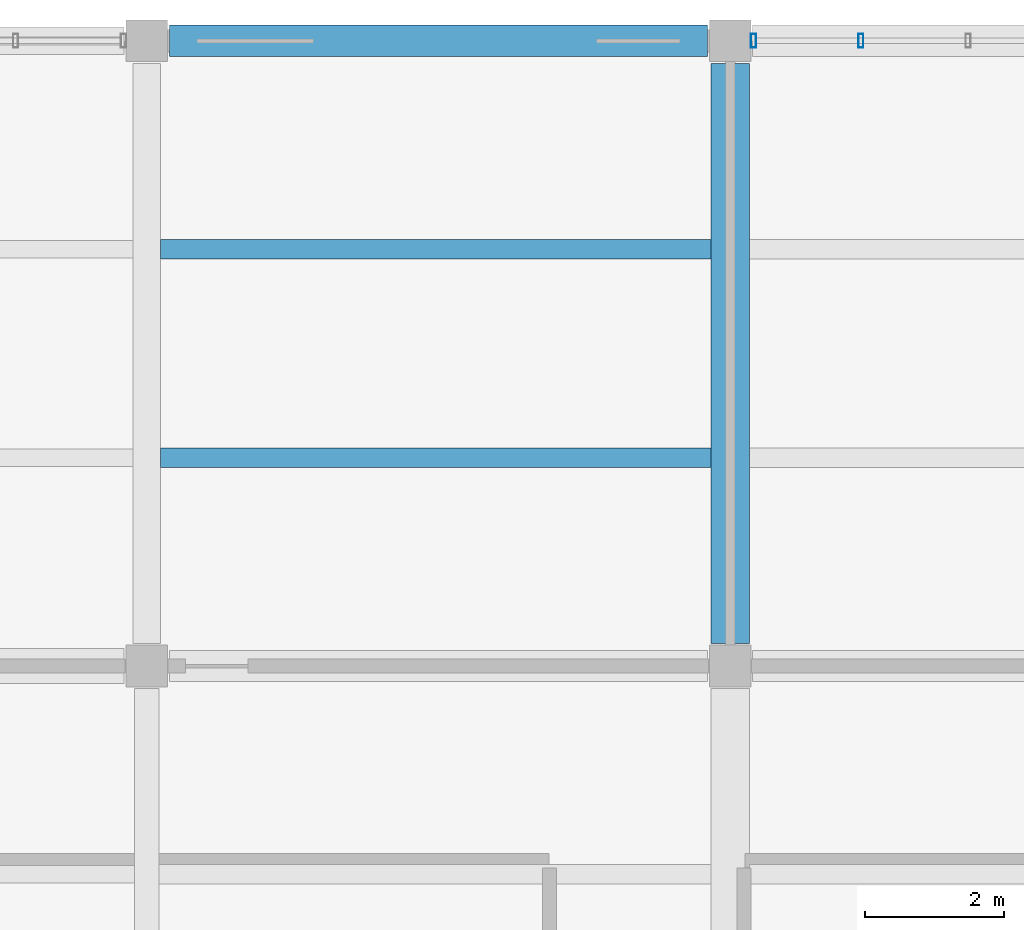
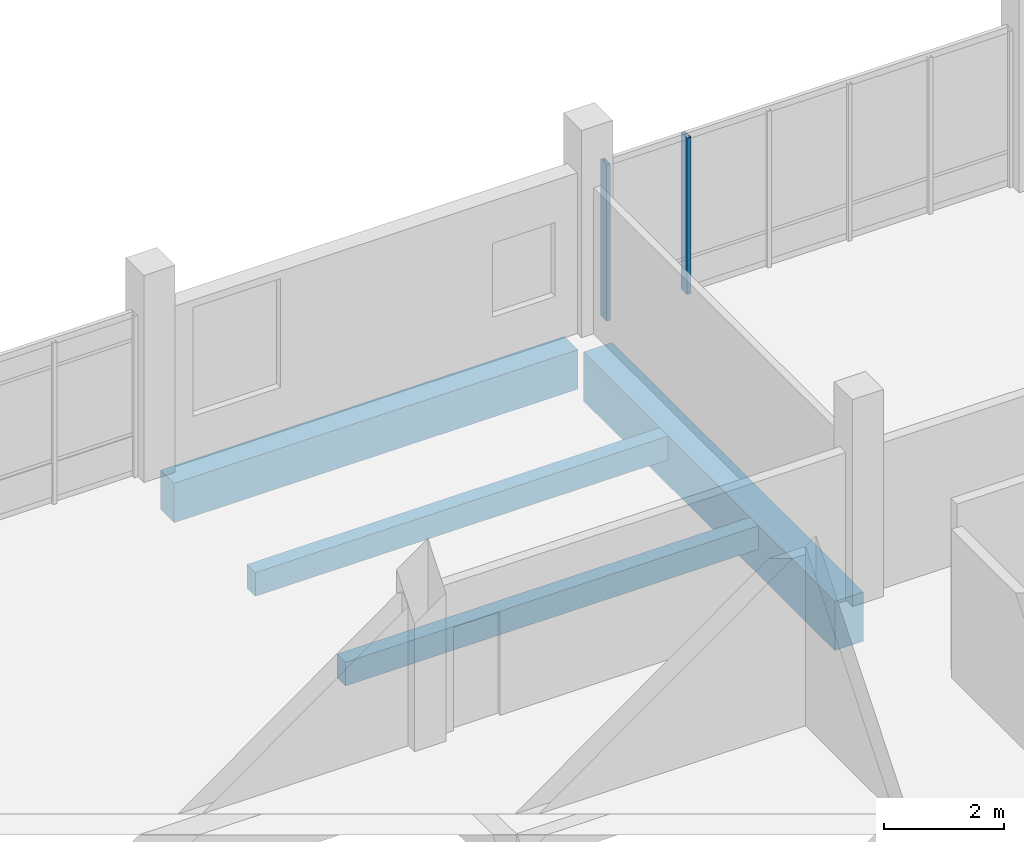
# One storey, part 82 of 130: 4 beams, 2 members, 1 element without a shape of its own.
"""IFC4 building model written with IfcOpenShell, lengths in metres."""

from ifc_helpers import new_model, si_unit, direction, frame, origin, origin_2d, place, context, subcontext, project, spatial, rectangle, hollow_rectangle, extrude, material, layer, layer_set, material_profile, profile_set, type_object, element, aggregate, save


model = new_model("IFC4")

# Units and contexts
model_context = context("Model", 3, precision=1e-05, world=origin(), true_north=direction((0.0, 1.0)))
body_context = subcontext(model_context, "Body", "Model", "MODEL_VIEW")
ifc_project = project(units=[si_unit("LENGTHUNIT", "METRE"), si_unit("AREAUNIT", "SQUARE_METRE"), si_unit("VOLUMEUNIT", "CUBIC_METRE"), si_unit("PLANEANGLEUNIT", "RADIAN"), si_unit("MASSUNIT", "GRAM", prefix="KILO")], contexts=[model_context])

# Site, building, storey
site_placement = place(None, origin())
site = spatial("IfcSite", under=ifc_project, at=site_placement, CompositionType="ELEMENT")
building_placement = place(site_placement, origin())
building = spatial("IfcBuilding", under=site, at=building_placement, Name="Vireocrest Preparatory School", CompositionType="ELEMENT")
storey_placement = place(building_placement, frame((0.0, 0.0, 9.0)))
storey = spatial("IfcBuildingStorey", under=building, at=storey_placement, Name="L02", CompositionType="ELEMENT", Elevation=9.0)

# Curtain wall, members
ifc_material_1 = material(Name="Thermally broken aluminium EN AW-6063-T6", Category="aluminium")
ifc_layer = layer(ifc_material_1, 0.179931640625)
ifc_layer_set = layer_set([ifc_layer], Name="Thermally broken aluminium EN AW-6063-T6")
curtain_wall_type = type_object("IfcCurtainWallType", Name="North Street Curtain Wall 8400x4000", PredefinedType="USERDEFINED", material=ifc_layer_set)
curtain_wall_placement = place(storey_placement, origin())
curtain_wall = element("IfcCurtainWall", 1, at=curtain_wall_placement, inside=storey, type_object=curtain_wall_type, Name="Curtain Wall CW05 CW_L02_CW05_1011_1128_090", ObjectType="CURTAIN WALL", PredefinedType="USERDEFINED")
ifc_material_profile_1 = material_profile(ifc_material_1, hollow_rectangle(XDim=0.074951171875, YDim=0.199951171875, WallThickness=0.0048828125, at=origin_2d()), Name="ALU 75x200x5")
ifc_profile_set_1 = profile_set([ifc_material_profile_1], Name="Thermally broken aluminium EN AW-6063-T6")
member_type = type_object("IfcMemberType", Name="CW Mullion 75x200x5", PredefinedType="MULLION", material=ifc_profile_set_1)
member_1_placement = place(storey_placement, frame((101.135009765625, 112.800048828125, 0.0), z_axis=(0.0, 0.0, 1.0), x_axis=(1.0, 0.0, 0.0)))
member_1 = element("IfcMember", 2, at=member_1_placement, type_object=member_type, Name="CW Mullion ML3 CW_L02_CW05_1011_1128_090-1", PredefinedType="MULLION", context=body_context, shape_type="SweptSolid", body=[
    extrude(hollow_rectangle(XDim=0.074951171875, YDim=0.199951171875, WallThickness=0.0048828125, at=origin_2d()), origin(), (0.0, 0.0, 1.0), 3.175048828125),
])
member_2_placement = place(storey_placement, frame((102.680908203125, 112.800048828125, 0.0), z_axis=(0.0, 0.0, 1.0), x_axis=(1.0, 0.0, 0.0)))
member_2 = element("IfcMember", 3, at=member_2_placement, type_object=member_type, Name="CW Mullion ML3 CW_L02_CW05_1011_1128_090-2", PredefinedType="MULLION", context=body_context, shape_type="SweptSolid", body=[
    extrude(hollow_rectangle(XDim=0.074951171875, YDim=0.199951171875, WallThickness=0.0048828125, at=origin_2d()), origin(), (0.0, 0.0, 1.0), 3.175048828125),
])
aggregate(curtain_wall, [member_1, member_2])

# Beams
ifc_material_2 = material(Name="Concrete 40 MPa", Category="concrete")
ifc_material_profile_2 = material_profile(ifc_material_2, rectangle(XDim=0.550048828125, YDim=1.0, at=origin_2d()), Name="RC 550x1000")
ifc_profile_set_2 = profile_set([ifc_material_profile_2], Name="Concrete 40 MPa")
beam_type_1 = type_object("IfcBeamType", Name="RC Core Coupling Beam 550x1000", PredefinedType="BEAM", material=ifc_profile_set_2)
beam_1_placement = place(storey_placement, frame((100.800048828125, 104.125, -0.780029296875), z_axis=(0.0, 1.0, 0.0), x_axis=(-1.0, 0.0, 0.0)))
element("IfcBeam", 4, at=beam_1_placement, inside=storey, type_object=beam_type_1, Name="Primary Girder B18 L02-0857", PredefinedType="BEAM", context=body_context, shape_type="SweptSolid", body=[
    extrude(rectangle(XDim=0.550048828125, YDim=1.0, at=origin_2d()), origin(), (0.0, 0.0, 1.0), 8.35009765625),
])
ifc_material_profile_3 = material_profile(ifc_material_2, rectangle(XDim=0.449951171875, YDim=0.800048828125, at=origin_2d()), Name="RC 450x800")
ifc_profile_set_3 = profile_set([ifc_material_profile_3], Name="Concrete 40 MPa")
beam_type_2 = type_object("IfcBeamType", Name="RC Library Stack Girder 450x800", PredefinedType="BEAM", material=ifc_profile_set_3)
beam_2_placement = place(storey_placement, frame((92.72509765625, 112.800048828125, -0.679931640625), z_axis=(1.0, 0.0, 0.0), x_axis=(0.0, 1.0, 0.0)))
element("IfcBeam", 5, at=beam_2_placement, inside=storey, type_object=beam_type_2, Name="Primary Girder B12 L02-0780", PredefinedType="BEAM", context=body_context, shape_type="SweptSolid", body=[
    extrude(rectangle(XDim=0.449951171875, YDim=0.800048828125, at=origin_2d()), origin(), (0.0, 0.0, 1.0), 7.75),
])
ifc_material_profile_4 = material_profile(ifc_material_2, rectangle(XDim=0.280029296875, YDim=0.47998046875, at=origin_2d()), Name="RC 280x480")
ifc_profile_set_4 = profile_set([ifc_material_profile_4], Name="Concrete 40 MPa")
beam_type_3 = type_object("IfcBeamType", Name="RC Secondary Lab Joist 280x480", PredefinedType="JOIST", material=ifc_profile_set_4)
for number, where, z_axis, x_axis, name in (
    (6, (92.60009765625, 106.800048828125, -0.52001953125), (1.0, 0.0, 0.0), (0.0, 1.0, 0.0), "Secondary Joist J02 L02-0986"),
    (7, (92.60009765625, 109.800048828125, -0.52001953125), (1.0, 0.0, 0.0), (0.0, 1.0, 0.0), "Secondary Joist J02 L02-0987"),
):
    element("IfcBeam", number, at=place(storey_placement, frame(where, z_axis=z_axis, x_axis=x_axis)), inside=storey, type_object=beam_type_3, Name=name, PredefinedType="JOIST", context=body_context, shape_type="SweptSolid", body=[
        extrude(rectangle(XDim=0.280029296875, YDim=0.47998046875, at=origin_2d()), origin(), (0.0, 0.0, 1.0), 7.9248046875),
    ])

save(model, "model.ifc")
